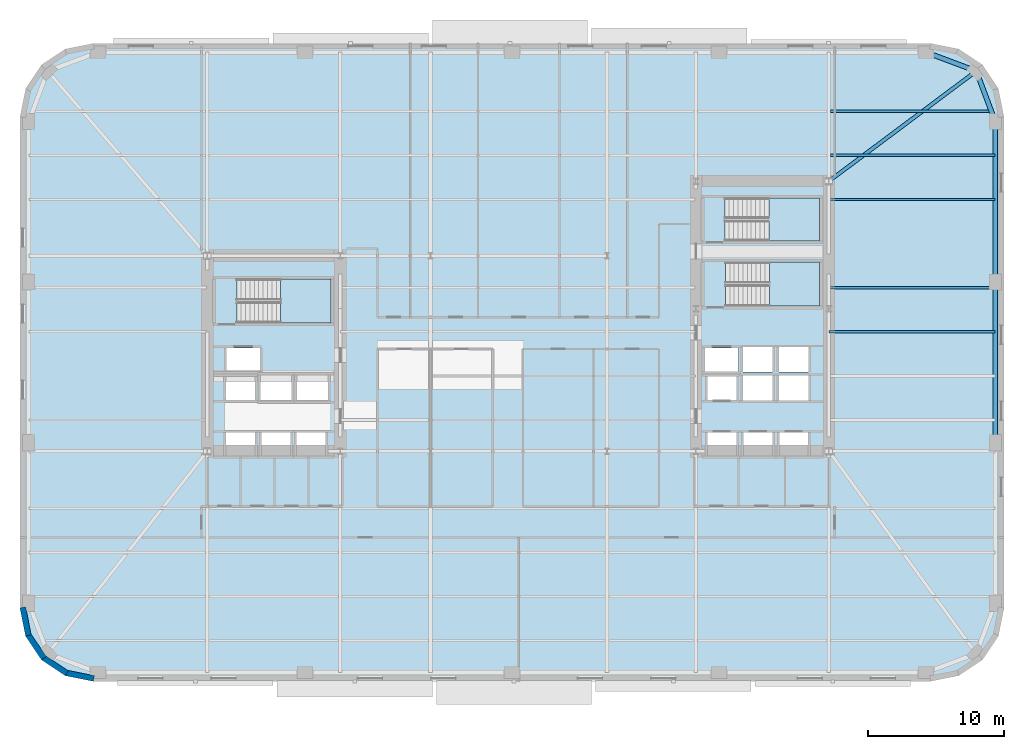
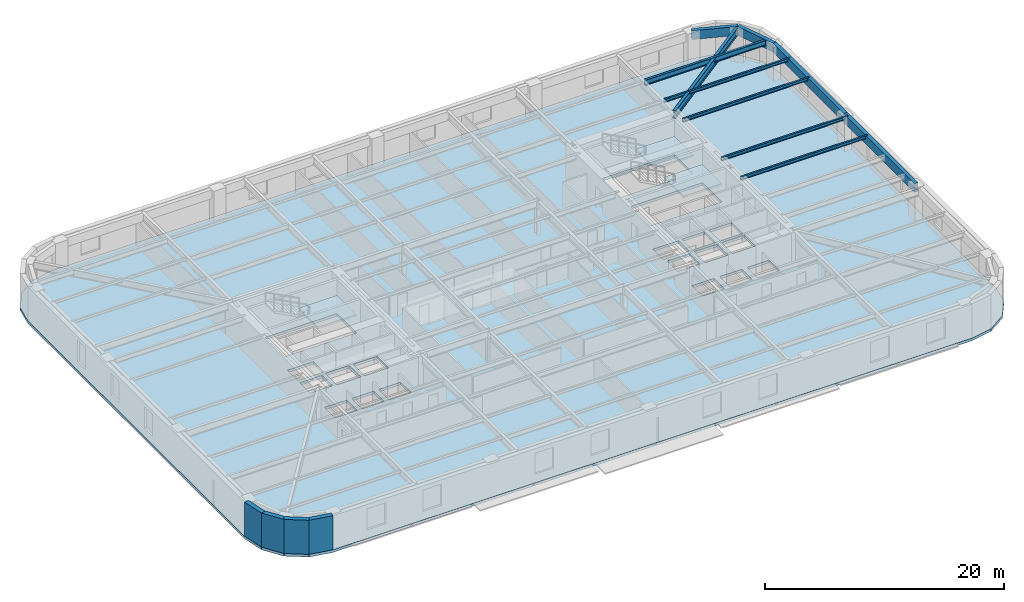
# One storey, part 3 of 14: 10 beams, 4 slabs, 4 walls, 3 elements without a shape of their own.
"""IFC4 building model written with IfcOpenShell, lengths in metres."""

from ifc_helpers import new_model, si_unit, direction, frame, frame_2d, origin, origin_2d, place, context, subcontext, project, spatial, polyline, rectangle, hollow_rectangle, i_section, outline, extrude, material, layer, layer_set, material_profile, profile_set, type_object, element, aggregate, save


model = new_model("IFC4")

# Units and contexts
model_context = context("Model", 3, precision=1e-05, world=origin(), true_north=direction((0.0, 1.0)))
body_context = subcontext(model_context, "Body", "Model", "MODEL_VIEW")
ifc_project = project(units=[si_unit("LENGTHUNIT", "METRE"), si_unit("AREAUNIT", "SQUARE_METRE"), si_unit("VOLUMEUNIT", "CUBIC_METRE"), si_unit("PLANEANGLEUNIT", "RADIAN"), si_unit("MASSUNIT", "GRAM", prefix="KILO")], contexts=[model_context])

# Site, building, storey
site_placement = place(None, origin())
site = spatial("IfcSite", under=ifc_project, at=site_placement, CompositionType="ELEMENT")
building_placement = place(site_placement, origin())
building = spatial("IfcBuilding", under=site, at=building_placement, Name="Kolvaren Arena Tower", CompositionType="ELEMENT")
storey_placement = place(building_placement, frame((0.0, 0.0, 87.0)))
storey = spatial("IfcBuildingStorey", under=building, at=storey_placement, Name="L19", CompositionType="ELEMENT", Elevation=87.0)

# Beams
ifc_material_1 = material(Name="Steel CSA G40.21 350W", Category="steel")
ifc_material_profile_1 = material_profile(ifc_material_1, i_section(OverallWidth=0.2119140625, OverallDepth=0.54296875, WebThickness=0.01318359375, FlangeThickness=0.0244140625, FilletRadius=0.013916015625, at=origin_2d()), Name="W530x150")
ifc_profile_set_1 = profile_set([ifc_material_profile_1], Name="Steel CSA G40.21 350W")
beam_type_1 = type_object("IfcBeamType", Name="BEAM-F1", PredefinedType="BEAM", material=ifc_profile_set_1)
beam_1_placement = place(storey_placement, frame((60.485107421875, 44.5, 3.20849609375), z_axis=(1.0, 0.0, 0.0), x_axis=(0.0, 1.0, 0.0)))
element("IfcBeam", 1, at=beam_1_placement, inside=storey, type_object=beam_type_1, Name="Composite Floor Beam (L19)", PredefinedType="BEAM", context=body_context, shape_type="SweptSolid", body=[
    extrude(i_section(OverallWidth=0.2119140625, OverallDepth=0.54296875, WebThickness=0.01318359375, FlangeThickness=0.0244140625, FilletRadius=0.013916015625, at=origin_2d()), origin(), (0.0, 0.0, 1.0), 11.83349609375),
])
ifc_material_profile_2 = material_profile(ifc_material_1, i_section(OverallWidth=0.27001953125, OverallDepth=0.77294921875, WebThickness=0.019287109375, FlangeThickness=0.033447265625, FilletRadius=0.01806640625, at=origin_2d()), Name="W760x257")
ifc_profile_set_2 = profile_set([ifc_material_profile_2], Name="Steel CSA G40.21 350W")
beam_type_2 = type_object("IfcBeamType", Name="GIRD-T1", PredefinedType="BEAM", material=ifc_profile_set_2)
beam_2_placement = place(storey_placement, frame((71.208740234375, 47.458740234375, 3.093505859375), z_axis=(-0.801249936397, -0.598329791523, 0.0), x_axis=(0.598329791523, -0.801249936397, 0.0)))
element("IfcBeam", 2, at=beam_2_placement, inside=storey, type_object=beam_type_2, Name="Corner Diagonal Tie Girder (L19)", PredefinedType="BEAM", context=body_context, shape_type="SweptSolid", body=[
    extrude(i_section(OverallWidth=0.27001953125, OverallDepth=0.77294921875, WebThickness=0.019287109375, FlangeThickness=0.033447265625, FilletRadius=0.01806640625, at=origin_2d()), origin(), (0.0, 0.0, 1.0), 13.55224609375),
])
ifc_material_profile_3 = material_profile(ifc_material_1, i_section(OverallWidth=0.1669921875, OverallDepth=0.31689453125, WebThickness=0.007568359375, FlangeThickness=0.01318359375, FilletRadius=0.010009765625, at=origin_2d()), Name="W310x52")
ifc_profile_set_3 = profile_set([ifc_material_profile_3], Name="Steel CSA G40.21 350W")
beam_type_3 = type_object("IfcBeamType", Name="JOIST-02", PredefinedType="JOIST", material=ifc_profile_set_3)
for number, where, z_axis, x_axis, name in (
    (3, (60.3701171875, 28.25, 3.321533203125), (1.0, 0.0, 0.0), (0.0, 1.0, 0.0), "Composite Floor Joist (L19)"),
    (4, (60.3701171875, 31.5, 3.321533203125), (1.0, 0.0, 0.0), (0.0, 1.0, 0.0), "Composite Floor Joist (L19)"),
    (5, (60.3701171875, 38.0, 3.321533203125), (1.0, 0.0, 0.0), (0.0, 1.0, 0.0), "Composite Floor Joist (L19)"),
):
    element("IfcBeam", number, at=place(storey_placement, frame(where, z_axis=z_axis, x_axis=x_axis)), inside=storey, type_object=beam_type_3, Name=name, PredefinedType="JOIST", context=body_context, shape_type="SweptSolid", body=[
        extrude(i_section(OverallWidth=0.1669921875, OverallDepth=0.31689453125, WebThickness=0.007568359375, FlangeThickness=0.01318359375, FilletRadius=0.010009765625, at=origin_2d()), origin(), (0.0, 0.0, 1.0), 12.22998046875),
    ])
beam_3_placement = place(storey_placement, frame((60.485107421875, 41.25, 3.321533203125), z_axis=(1.0, 0.0, 0.0), x_axis=(0.0, 1.0, 0.0)))
element("IfcBeam", 6, at=beam_3_placement, inside=storey, type_object=beam_type_3, Name="Composite Floor Joist (L19)", PredefinedType="JOIST", context=body_context, shape_type="SweptSolid", body=[
    extrude(i_section(OverallWidth=0.1669921875, OverallDepth=0.31689453125, WebThickness=0.007568359375, FlangeThickness=0.01318359375, FilletRadius=0.010009765625, at=origin_2d()), origin(), (0.0, 0.0, 1.0), 12.114990234375),
])
ifc_material_2 = material(Name="Steel CSA G40.21 350WT", Category="steel")
ifc_material_profile_4 = material_profile(ifc_material_2, hollow_rectangle(XDim=0.35009765625, YDim=0.89990234375, WallThickness=0.02001953125, at=origin_2d()), Name="HSS 900x350x20")
ifc_profile_set_4 = profile_set([ifc_material_profile_4], Name="Steel CSA G40.21 350WT")
beam_type_4 = type_object("IfcBeamType", Name="SPAND-01", PredefinedType="SPANDREL", material=ifc_profile_set_4)
beam_4_placement = place(storey_placement, frame((72.60009765625, 20.083251953125, 3.030029296875), z_axis=(0.0, 1.0, 0.0), x_axis=(-1.0, 0.0, 0.0)))
element("IfcBeam", 7, at=beam_4_placement, inside=storey, type_object=beam_type_4, Name="Perimeter Spandrel Beam (L19)", PredefinedType="SPANDREL", context=body_context, shape_type="SweptSolid", body=[
    extrude(hollow_rectangle(XDim=0.35009765625, YDim=0.89990234375, WallThickness=0.02001953125, at=origin_2d()), origin(), (0.0, 0.0, 1.0), 11.83349609375),
])
beam_5_placement = place(storey_placement, frame((72.60009765625, 31.916748046875, 3.030029296875), z_axis=(0.0, 1.0, 0.0), x_axis=(-1.0, 0.0, 0.0)))
element("IfcBeam", 8, at=beam_5_placement, inside=storey, type_object=beam_type_4, Name="Perimeter Spandrel Beam (L19)", PredefinedType="SPANDREL", context=body_context, shape_type="SweptSolid", body=[
    extrude(hollow_rectangle(XDim=0.35009765625, YDim=0.89990234375, WallThickness=0.02001953125, at=origin_2d()), origin(), (0.0, 0.0, 1.0), 11.833251953125),
])
for number, where, z_axis, x_axis, name in (
    (9, (72.60009765625, 43.75, 3.030029296875), (-0.351251771955, 0.93628104365, 0.0), (-0.93628104365, -0.351251771955, 0.0), "Perimeter Spandrel Beam (L19)"),
    (10, (71.208740234375, 47.458740234375, 3.030029296875), (-0.93628104365, 0.351251771955, 0.0), (-0.351251771955, -0.93628104365, 0.0), "Perimeter Spandrel Beam (L19)"),
):
    element("IfcBeam", number, at=place(storey_placement, frame(where, z_axis=z_axis, x_axis=x_axis)), inside=storey, type_object=beam_type_4, Name=name, PredefinedType="SPANDREL", context=body_context, shape_type="SweptSolid", body=[
        extrude(hollow_rectangle(XDim=0.35009765625, YDim=0.89990234375, WallThickness=0.02001953125, at=origin_2d()), origin(), (0.0, 0.0, 1.0), 3.961181640625),
    ])

# Stair, slab
ifc_material_3 = material(Name="Concrete 45 MPa", Category="concrete")
stair_type_1 = type_object("IfcStairType", Name="STAIR-CORE-165", PredefinedType="HALF_TURN_STAIR", material=ifc_material_3)
stair_1_placement = place(storey_placement, origin())
stair_1 = element("IfcStair", 11, at=stair_1_placement, inside=storey, type_object=stair_type_1, Name="L19 ST-W1", PredefinedType="HALF_TURN_STAIR")
ifc_layer_1 = layer(ifc_material_3, 0.199951171875)
ifc_layer_set_1 = layer_set([ifc_layer_1], Name="Concrete 45 MPa")
slab_type_1 = type_object("IfcSlabType", Name="SLAB-LAND", PredefinedType="LANDING", material=ifc_layer_set_1)
slab_1_placement = place(storey_placement, frame((0.0, 0.0, 1.675048828125)))
slab_1 = element("IfcSlab", 12, at=slab_1_placement, type_object=slab_type_1, Name="ST-W1 landing 1", PredefinedType="LANDING", context=body_context, shape_type="SweptSolid", body=[
    extrude(outline(polyline([(19.9599609375, 28.89990234375), (23.659912109375, 28.89990234375), (23.659912109375, 32.1298828125), (19.9599609375, 32.1298828125), (19.9599609375, 28.89990234375)])), origin(), (0.0, 0.0, 1.0), 0.199951171875),
])
aggregate(stair_1, [slab_1])

stair_2_placement = place(storey_placement, origin())
stair_2 = element("IfcStair", 13, at=stair_2_placement, inside=storey, type_object=stair_type_1, Name="L19 ST-E1", PredefinedType="HALF_TURN_STAIR")
slab_2_placement = place(storey_placement, frame((0.0, 0.0, 1.675048828125)))
slab_2 = element("IfcSlab", 14, at=slab_2_placement, type_object=slab_type_1, Name="ST-E1 landing 1", PredefinedType="LANDING", context=body_context, shape_type="SweptSolid", body=[
    extrude(outline(polyline([(55.9599609375, 30.14990234375), (59.659912109375, 30.14990234375), (59.659912109375, 33.3798828125), (55.9599609375, 33.3798828125), (55.9599609375, 30.14990234375)])), origin(), (0.0, 0.0, 1.0), 0.199951171875),
])
aggregate(stair_2, [slab_2])

stair_type_2 = type_object("IfcStairType", Name="STAIR-CORE-150", PredefinedType="HALF_TURN_STAIR", material=ifc_material_3)
stair_3_placement = place(storey_placement, origin())
stair_3 = element("IfcStair", 15, at=stair_3_placement, inside=storey, type_object=stair_type_2, Name="L19 ST-E2", PredefinedType="HALF_TURN_STAIR")
slab_3_placement = place(storey_placement, frame((0.0, 0.0, 1.675048828125)))
slab_3 = element("IfcSlab", 16, at=slab_3_placement, type_object=slab_type_1, Name="ST-E2 landing 1", PredefinedType="LANDING", context=body_context, shape_type="SweptSolid", body=[
    extrude(outline(polyline([(55.919921875, 34.949951171875), (59.659912109375, 34.949951171875), (59.659912109375, 38.10009765625), (55.919921875, 38.10009765625), (55.919921875, 34.949951171875)])), origin(), (0.0, 0.0, 1.0), 0.199951171875),
])
aggregate(stair_3, [slab_3])

# Slab
ifc_layer_2 = layer(ifc_material_3, 0.27001953125)
ifc_layer_set_2 = layer_set([ifc_layer_2], Name="Concrete 45 MPa")
slab_type_2 = type_object("IfcSlabType", Name="SLAB-OFF2", PredefinedType="FLOOR", material=ifc_layer_set_2)
slab_4_placement = place(storey_placement, frame((0.0, 0.0, -0.27001953125)))
element("IfcSlab", 17, at=slab_4_placement, inside=storey, type_object=slab_type_2, Name="L19 Primary Structural Slab", PredefinedType="FLOOR", context=body_context, shape_type="SweptSolid", body=[
    extrude(outline(polyline([(67.85009765625, 2.5), (69.91650390625, 2.9111328125), (71.66845703125, 4.08154296875), (72.8388671875, 5.83349609375), (73.25, 7.89990234375), (73.25, 44.10009765625), (72.8388671875, 46.16650390625), (71.66845703125, 47.91845703125), (69.91650390625, 49.0888671875), (67.85009765625, 49.5), (6.14990234375, 49.5), (4.08349609375, 49.0888671875), (2.33154296875, 47.91845703125), (1.1611328125, 46.16650390625), (0.75, 44.10009765625), (0.75, 7.89990234375), (1.1611328125, 5.83349609375), (2.33154296875, 4.08154296875), (4.08349609375, 2.9111328125), (6.14990234375, 2.5), (67.85009765625, 2.5)]), holes=[polyline([(15.93505859375, 19.0849609375), (15.93505859375, 20.81494140625), (18.06494140625, 20.81494140625), (18.06494140625, 19.0849609375), (15.93505859375, 19.0849609375)]), polyline([(18.534912109375, 19.0849609375), (18.534912109375, 20.81494140625), (20.6650390625, 20.81494140625), (20.6650390625, 19.0849609375), (18.534912109375, 19.0849609375)]), polyline([(21.135009765625, 19.0849609375), (21.135009765625, 20.81494140625), (23.264892578125, 20.81494140625), (23.264892578125, 19.0849609375), (21.135009765625, 19.0849609375)]), polyline([(51.39501953125, 19.0849609375), (51.39501953125, 20.81494140625), (53.52490234375, 20.81494140625), (53.52490234375, 19.0849609375), (51.39501953125, 19.0849609375)]), polyline([(54.054931640625, 19.0849609375), (54.054931640625, 20.81494140625), (56.18505859375, 20.81494140625), (56.18505859375, 19.0849609375), (54.054931640625, 19.0849609375)]), polyline([(56.695068359375, 19.0849609375), (56.695068359375, 20.81494140625), (58.824951171875, 20.81494140625), (58.824951171875, 19.0849609375), (56.695068359375, 19.0849609375)]), polyline([(18.4599609375, 23.135009765625), (18.4599609375, 25.06494140625), (20.739990234375, 25.06494140625), (20.739990234375, 23.135009765625), (18.4599609375, 23.135009765625)]), polyline([(21.159912109375, 23.135009765625), (21.159912109375, 25.06494140625), (23.43994140625, 25.06494140625), (23.43994140625, 23.135009765625), (21.159912109375, 23.135009765625)]), polyline([(54.030029296875, 25.014892578125), (56.2099609375, 25.014892578125), (56.2099609375, 23.18505859375), (54.030029296875, 23.18505859375), (54.030029296875, 25.014892578125)]), polyline([(56.669921875, 25.014892578125), (58.85009765625, 25.014892578125), (58.85009765625, 23.18505859375), (56.669921875, 23.18505859375), (56.669921875, 25.014892578125)]), polyline([(15.93505859375, 23.235107421875), (15.93505859375, 24.965087890625), (18.06494140625, 24.965087890625), (18.06494140625, 23.235107421875), (15.93505859375, 23.235107421875)]), polyline([(51.39501953125, 24.965087890625), (53.52490234375, 24.965087890625), (53.52490234375, 23.235107421875), (51.39501953125, 23.235107421875), (51.39501953125, 24.965087890625)]), polyline([(54.030029296875, 25.284912109375), (54.030029296875, 27.114990234375), (56.2099609375, 27.114990234375), (56.2099609375, 25.284912109375), (54.030029296875, 25.284912109375)]), polyline([(56.669921875, 25.284912109375), (56.669921875, 27.114990234375), (58.85009765625, 27.114990234375), (58.85009765625, 25.284912109375), (56.669921875, 25.284912109375)]), polyline([(15.9599609375, 27.06494140625), (18.43994140625, 27.06494140625), (18.43994140625, 25.3349609375), (15.9599609375, 25.3349609375), (15.9599609375, 27.06494140625)]), polyline([(51.219970703125, 25.3349609375), (51.219970703125, 27.06494140625), (53.699951171875, 27.06494140625), (53.699951171875, 25.3349609375), (51.219970703125, 25.3349609375)]), polyline([(16.735107421875, 28.89990234375), (16.735107421875, 32.1298828125), (23.659912109375, 32.1298828125), (23.659912109375, 28.89990234375), (16.735107421875, 28.89990234375)]), polyline([(52.735107421875, 33.3798828125), (59.659912109375, 33.3798828125), (59.659912109375, 30.14990234375), (52.735107421875, 30.14990234375), (52.735107421875, 33.3798828125)]), polyline([(52.695068359375, 38.10009765625), (59.659912109375, 38.10009765625), (59.659912109375, 34.949951171875), (52.695068359375, 34.949951171875), (52.695068359375, 38.10009765625)])]), origin(), (0.0, 0.0, 1.0), 0.27001953125),
])

# Walls
ifc_material_4 = material(Name="Precast concrete C50/60", Category="concrete")
ifc_layer_3 = layer(ifc_material_4, 0.419921875)
ifc_layer_set_3 = layer_set([ifc_layer_3], Name="Precast concrete C50/60")
wall_type = type_object("IfcWallType", Name="EXT-PIER1", PredefinedType="SOLIDWALL", material=ifc_layer_set_3)
for number, where, z_axis, x_axis, name in (
    (18, (1.3671875, 5.87451171875, 0.0), (0.0, 0.0, 1.0), (-0.195135546048, 0.9807762837, 0.0), "Exterior Precast Masonry-Frame Wall (L19)"),
    (19, (2.506103515625, 4.1982421875, 0.0), (0.0, 0.0, 1.0), (-0.555502146192, 0.831515102434, 0.0), "Exterior Precast Masonry-Frame Wall (L19)"),
    (20, (4.2001953125, 3.085693359375, 0.0), (0.0, 0.0, 1.0), (-0.831515102434, 0.555502146192, 0.0), "Exterior Precast Masonry-Frame Wall (L19)"),
    (21, (6.19091796875, 2.7060546875, 0.0), (0.0, 0.0, 1.0), (-0.9807762837, 0.195135546048, 0.0), "Exterior Precast Masonry-Frame Wall (L19)"),
):
    element("IfcWall", number, at=place(storey_placement, frame(where, z_axis=z_axis, x_axis=x_axis)), inside=storey, type_object=wall_type, Name=name, PredefinedType="SOLIDWALL", context=body_context, shape_type="SweptSolid", body=[
        extrude(rectangle(XDim=2.10693359375, YDim=0.419921875, at=frame_2d((1.053466796875, 0.0))), origin(), (0.0, 0.0, 1.0), 3.47998046875),
    ])

save(model, "model.ifc")
